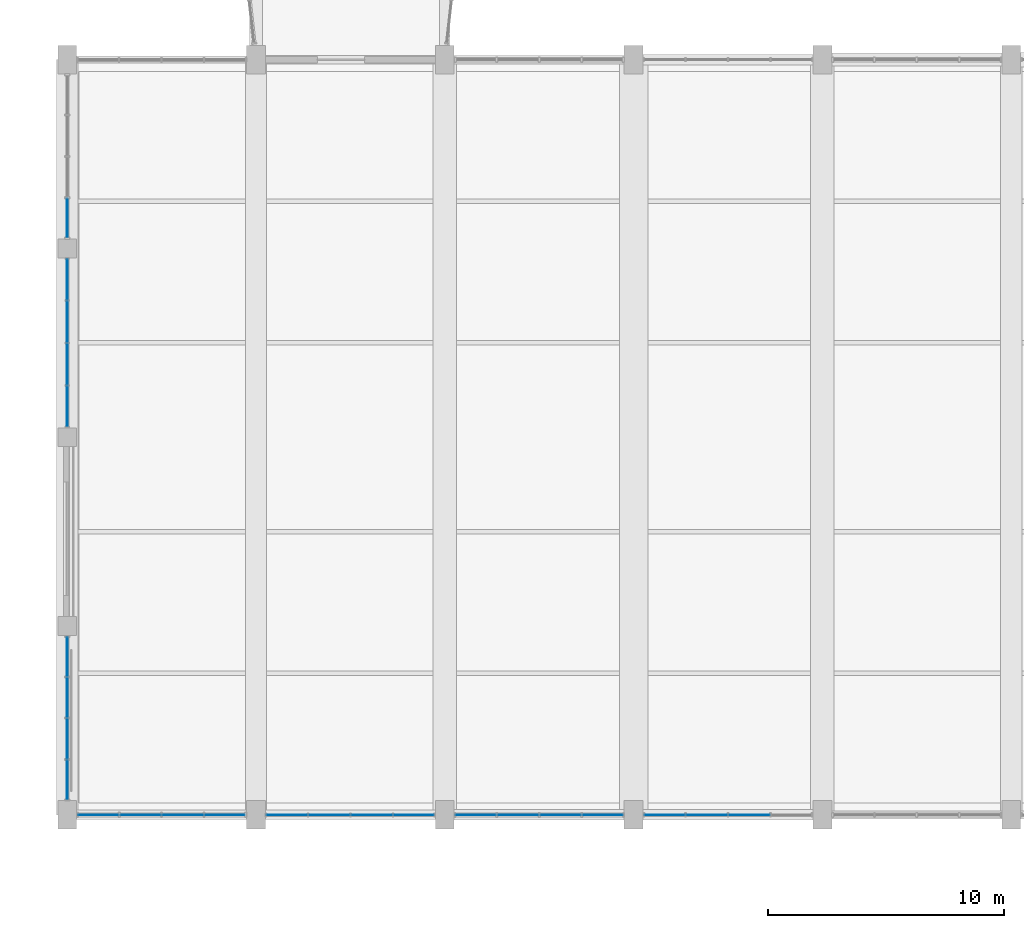
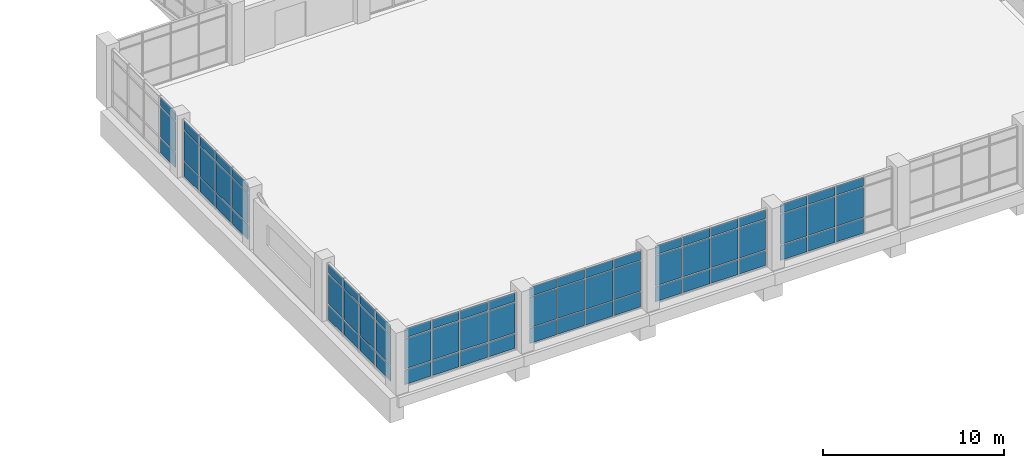
# One storey, part 52 of 84: 72 plates, 7 elements without a shape of their own.
"""IFC4 building model written with IfcOpenShell, lengths in metres."""

from ifc_helpers import new_model, si_unit, direction, frame, origin, origin_2d, place, context, subcontext, project, spatial, rectangle, extrude, material, layer, layer_set, type_object, element, aggregate, save


model = new_model("IFC4")

# Units and contexts
model_context = context("Model", 3, precision=1e-05, world=origin(), true_north=direction((0.0, 1.0)))
body_context = subcontext(model_context, "Body", "Model", "MODEL_VIEW")
ifc_project = project(units=[si_unit("LENGTHUNIT", "METRE"), si_unit("AREAUNIT", "SQUARE_METRE"), si_unit("VOLUMEUNIT", "CUBIC_METRE"), si_unit("PLANEANGLEUNIT", "RADIAN"), si_unit("MASSUNIT", "GRAM", prefix="KILO")], contexts=[model_context])

# Site, building, storey
site_placement = place(None, origin())
site = spatial("IfcSite", under=ifc_project, at=site_placement, CompositionType="ELEMENT")
building_placement = place(site_placement, origin())
building = spatial("IfcBuilding", under=site, at=building_placement, Name="Tenunan Teduh Sports Hall", CompositionType="ELEMENT")
storey_placement = place(building_placement, frame((0.0, 0.0, 10.800048828125)))
storey = spatial("IfcBuildingStorey", under=building, at=storey_placement, Name="L02", CompositionType="ELEMENT", Elevation=10.800048828125)

# Curtain wall, plates
ifc_material_1 = material(Name="Anodised aluminium", Category="aluminium")
curtain_wall_type = type_object("IfcCurtainWallType", Name="CW-UNIT-2", PredefinedType="NOTDEFINED", material=ifc_material_1)
curtain_wall_1_placement = place(storey_placement, origin())
curtain_wall_1 = element("IfcCurtainWall", 1, at=curtain_wall_1_placement, inside=storey, type_object=curtain_wall_type, Name="CW-CWM-200-L02-060", PredefinedType="NOTDEFINED")
ifc_material_2 = material(Name="Low-E laminated double glazing", Category="glass")
ifc_layer_1 = layer(ifc_material_2, 0.028076171875)
ifc_layer_set_1 = layer_set([ifc_layer_1], Name="Low-E laminated double glazing")
plate_type_1 = type_object("IfcPlateType", Name="CWP-GLZ-28", PredefinedType="CURTAIN_PANEL", material=ifc_layer_set_1)
plate_1_placement = place(storey_placement, frame((23.3173828125, 14.0, 1.134765625), z_axis=(0.0, 0.0, 1.0), x_axis=(1.0, 0.0, 0.0)))
plate_1 = element("IfcPlate", 2, at=plate_1_placement, type_object=plate_type_1, Name="CW-02 panel 1.2", PredefinedType="CURTAIN_PANEL", context=body_context, shape_type="SweptSolid", body=[
    extrude(rectangle(XDim=1.695068359375, YDim=0.028076171875, at=origin_2d()), origin(), (0.0, 0.0, 1.0), 2.030029296875),
])
plate_2_placement = place(storey_placement, frame((23.3173828125, 14.0, 3.23486328125), z_axis=(0.0, 0.0, 1.0), x_axis=(1.0, 0.0, 0.0)))
plate_2 = element("IfcPlate", 3, at=plate_2_placement, type_object=plate_type_1, Name="CW-02 panel 1.3", PredefinedType="CURTAIN_PANEL", context=body_context, shape_type="SweptSolid", body=[
    extrude(rectangle(XDim=1.695068359375, YDim=0.028076171875, at=origin_2d()), origin(), (0.0, 0.0, 1.0), 0.594970703125),
])
plate_3_placement = place(storey_placement, frame((25.10009765625, 14.0, 1.134765625), z_axis=(0.0, 0.0, 1.0), x_axis=(1.0, 0.0, 0.0)))
plate_3 = element("IfcPlate", 4, at=plate_3_placement, type_object=plate_type_1, Name="CW-02 panel 2.2", PredefinedType="CURTAIN_PANEL", context=body_context, shape_type="SweptSolid", body=[
    extrude(rectangle(XDim=1.72998046875, YDim=0.028076171875, at=origin_2d()), origin(), (0.0, 0.0, 1.0), 2.030029296875),
])
plate_4_placement = place(storey_placement, frame((25.10009765625, 14.0, 3.23486328125), z_axis=(0.0, 0.0, 1.0), x_axis=(1.0, 0.0, 0.0)))
plate_4 = element("IfcPlate", 5, at=plate_4_placement, type_object=plate_type_1, Name="CW-02 panel 2.3", PredefinedType="CURTAIN_PANEL", context=body_context, shape_type="SweptSolid", body=[
    extrude(rectangle(XDim=1.72998046875, YDim=0.028076171875, at=origin_2d()), origin(), (0.0, 0.0, 1.0), 0.594970703125),
])
plate_5_placement = place(storey_placement, frame((26.89990234375, 14.0, 1.134765625), z_axis=(0.0, 0.0, 1.0), x_axis=(1.0, 0.0, 0.0)))
plate_5 = element("IfcPlate", 6, at=plate_5_placement, type_object=plate_type_1, Name="CW-02 panel 3.2", PredefinedType="CURTAIN_PANEL", context=body_context, shape_type="SweptSolid", body=[
    extrude(rectangle(XDim=1.72998046875, YDim=0.028076171875, at=origin_2d()), origin(), (0.0, 0.0, 1.0), 2.030029296875),
])
plate_6_placement = place(storey_placement, frame((26.89990234375, 14.0, 3.23486328125), z_axis=(0.0, 0.0, 1.0), x_axis=(1.0, 0.0, 0.0)))
plate_6 = element("IfcPlate", 7, at=plate_6_placement, type_object=plate_type_1, Name="CW-02 panel 3.3", PredefinedType="CURTAIN_PANEL", context=body_context, shape_type="SweptSolid", body=[
    extrude(rectangle(XDim=1.72998046875, YDim=0.028076171875, at=origin_2d()), origin(), (0.0, 0.0, 1.0), 0.594970703125),
])
plate_7_placement = place(storey_placement, frame((28.6826171875, 14.0, 1.134765625), z_axis=(0.0, 0.0, 1.0), x_axis=(1.0, 0.0, 0.0)))
plate_7 = element("IfcPlate", 8, at=plate_7_placement, type_object=plate_type_1, Name="CW-02 panel 4.2", PredefinedType="CURTAIN_PANEL", context=body_context, shape_type="SweptSolid", body=[
    extrude(rectangle(XDim=1.695068359375, YDim=0.028076171875, at=origin_2d()), origin(), (0.0, 0.0, 1.0), 2.030029296875),
])
plate_8_placement = place(storey_placement, frame((28.6826171875, 14.0, 3.23486328125), z_axis=(0.0, 0.0, 1.0), x_axis=(1.0, 0.0, 0.0)))
plate_8 = element("IfcPlate", 9, at=plate_8_placement, type_object=plate_type_1, Name="CW-02 panel 4.3", PredefinedType="CURTAIN_PANEL", context=body_context, shape_type="SweptSolid", body=[
    extrude(rectangle(XDim=1.695068359375, YDim=0.028076171875, at=origin_2d()), origin(), (0.0, 0.0, 1.0), 0.594970703125),
])

curtain_wall_2_placement = place(storey_placement, origin())
curtain_wall_2 = element("IfcCurtainWall", 10, at=curtain_wall_2_placement, inside=storey, type_object=curtain_wall_type, Name="CW-CWM-175-L02-062", PredefinedType="NOTDEFINED")
plate_9_placement = place(storey_placement, frame((31.316162109375, 14.0, 1.13232421875), z_axis=(0.0, 0.0, 1.0), x_axis=(1.0, 0.0, 0.0)))
plate_9 = element("IfcPlate", 11, at=plate_9_placement, type_object=plate_type_1, Name="CW-02 panel 1.2", PredefinedType="CURTAIN_PANEL", context=body_context, shape_type="SweptSolid", body=[
    extrude(rectangle(XDim=1.702392578125, YDim=0.028076171875, at=origin_2d()), origin(), (0.0, 0.0, 1.0), 2.034912109375),
])
plate_10_placement = place(storey_placement, frame((31.316162109375, 14.0, 3.232421875), z_axis=(0.0, 0.0, 1.0), x_axis=(1.0, 0.0, 0.0)))
plate_10 = element("IfcPlate", 12, at=plate_10_placement, type_object=plate_type_1, Name="CW-02 panel 1.3", PredefinedType="CURTAIN_PANEL", context=body_context, shape_type="SweptSolid", body=[
    extrude(rectangle(XDim=1.702392578125, YDim=0.028076171875, at=origin_2d()), origin(), (0.0, 0.0, 1.0), 0.6025390625),
])
plate_11_placement = place(storey_placement, frame((33.10009765625, 14.0, 1.13232421875), z_axis=(0.0, 0.0, 1.0), x_axis=(1.0, 0.0, 0.0)))
plate_11 = element("IfcPlate", 13, at=plate_11_placement, type_object=plate_type_1, Name="CW-02 panel 2.2", PredefinedType="CURTAIN_PANEL", context=body_context, shape_type="SweptSolid", body=[
    extrude(rectangle(XDim=1.735107421875, YDim=0.028076171875, at=origin_2d()), origin(), (0.0, 0.0, 1.0), 2.034912109375),
])
plate_12_placement = place(storey_placement, frame((33.10009765625, 14.0, 3.232421875), z_axis=(0.0, 0.0, 1.0), x_axis=(1.0, 0.0, 0.0)))
plate_12 = element("IfcPlate", 14, at=plate_12_placement, type_object=plate_type_1, Name="CW-02 panel 2.3", PredefinedType="CURTAIN_PANEL", context=body_context, shape_type="SweptSolid", body=[
    extrude(rectangle(XDim=1.735107421875, YDim=0.028076171875, at=origin_2d()), origin(), (0.0, 0.0, 1.0), 0.6025390625),
])
plate_13_placement = place(storey_placement, frame((34.89990234375, 14.0, 1.13232421875), z_axis=(0.0, 0.0, 1.0), x_axis=(1.0, 0.0, 0.0)))
plate_13 = element("IfcPlate", 15, at=plate_13_placement, type_object=plate_type_1, Name="CW-02 panel 3.2", PredefinedType="CURTAIN_PANEL", context=body_context, shape_type="SweptSolid", body=[
    extrude(rectangle(XDim=1.735107421875, YDim=0.028076171875, at=origin_2d()), origin(), (0.0, 0.0, 1.0), 2.034912109375),
])
plate_14_placement = place(storey_placement, frame((34.89990234375, 14.0, 3.232421875), z_axis=(0.0, 0.0, 1.0), x_axis=(1.0, 0.0, 0.0)))
plate_14 = element("IfcPlate", 16, at=plate_14_placement, type_object=plate_type_1, Name="CW-02 panel 3.3", PredefinedType="CURTAIN_PANEL", context=body_context, shape_type="SweptSolid", body=[
    extrude(rectangle(XDim=1.735107421875, YDim=0.028076171875, at=origin_2d()), origin(), (0.0, 0.0, 1.0), 0.6025390625),
])

curtain_wall_3_placement = place(storey_placement, origin())
curtain_wall_3 = element("IfcCurtainWall", 17, at=curtain_wall_3_placement, inside=storey, type_object=curtain_wall_type, Name="CW-CWM-200-L02-068", PredefinedType="NOTDEFINED")
plate_15_placement = place(storey_placement, frame((6.0, 15.492431640625, 1.134765625), z_axis=(0.0, 0.0, 1.0), x_axis=(0.0, 1.0, 0.0)))
plate_15 = element("IfcPlate", 18, at=plate_15_placement, type_object=plate_type_1, Name="CW-02 panel 1.2", PredefinedType="CURTAIN_PANEL", context=body_context, shape_type="SweptSolid", body=[
    extrude(rectangle(XDim=1.64501953125, YDim=0.028076171875, at=origin_2d()), origin(), (0.0, 0.0, 1.0), 2.030029296875),
])
plate_16_placement = place(storey_placement, frame((6.0, 15.492431640625, 3.23486328125), z_axis=(0.0, 0.0, 1.0), x_axis=(0.0, 1.0, 0.0)))
plate_16 = element("IfcPlate", 19, at=plate_16_placement, type_object=plate_type_1, Name="CW-02 panel 1.3", PredefinedType="CURTAIN_PANEL", context=body_context, shape_type="SweptSolid", body=[
    extrude(rectangle(XDim=1.64501953125, YDim=0.028076171875, at=origin_2d()), origin(), (0.0, 0.0, 1.0), 0.594970703125),
])
plate_17_placement = place(storey_placement, frame((6.0, 17.22509765625, 1.134765625), z_axis=(0.0, 0.0, 1.0), x_axis=(0.0, 1.0, 0.0)))
plate_17 = element("IfcPlate", 20, at=plate_17_placement, type_object=plate_type_1, Name="CW-02 panel 2.2", PredefinedType="CURTAIN_PANEL", context=body_context, shape_type="SweptSolid", body=[
    extrude(rectangle(XDim=1.679931640625, YDim=0.028076171875, at=origin_2d()), origin(), (0.0, 0.0, 1.0), 2.030029296875),
])
plate_18_placement = place(storey_placement, frame((6.0, 17.22509765625, 3.23486328125), z_axis=(0.0, 0.0, 1.0), x_axis=(0.0, 1.0, 0.0)))
plate_18 = element("IfcPlate", 21, at=plate_18_placement, type_object=plate_type_1, Name="CW-02 panel 2.3", PredefinedType="CURTAIN_PANEL", context=body_context, shape_type="SweptSolid", body=[
    extrude(rectangle(XDim=1.679931640625, YDim=0.028076171875, at=origin_2d()), origin(), (0.0, 0.0, 1.0), 0.594970703125),
])
plate_19_placement = place(storey_placement, frame((6.0, 18.97509765625, 1.134765625), z_axis=(0.0, 0.0, 1.0), x_axis=(0.0, 1.0, 0.0)))
plate_19 = element("IfcPlate", 22, at=plate_19_placement, type_object=plate_type_1, Name="CW-02 panel 3.2", PredefinedType="CURTAIN_PANEL", context=body_context, shape_type="SweptSolid", body=[
    extrude(rectangle(XDim=1.679931640625, YDim=0.028076171875, at=origin_2d()), origin(), (0.0, 0.0, 1.0), 2.030029296875),
])
plate_20_placement = place(storey_placement, frame((6.0, 18.97509765625, 3.23486328125), z_axis=(0.0, 0.0, 1.0), x_axis=(0.0, 1.0, 0.0)))
plate_20 = element("IfcPlate", 23, at=plate_20_placement, type_object=plate_type_1, Name="CW-02 panel 3.3", PredefinedType="CURTAIN_PANEL", context=body_context, shape_type="SweptSolid", body=[
    extrude(rectangle(XDim=1.679931640625, YDim=0.028076171875, at=origin_2d()), origin(), (0.0, 0.0, 1.0), 0.594970703125),
])
plate_21_placement = place(storey_placement, frame((6.0, 20.70751953125, 1.134765625), z_axis=(0.0, 0.0, 1.0), x_axis=(0.0, 1.0, 0.0)))
plate_21 = element("IfcPlate", 24, at=plate_21_placement, type_object=plate_type_1, Name="CW-02 panel 4.2", PredefinedType="CURTAIN_PANEL", context=body_context, shape_type="SweptSolid", body=[
    extrude(rectangle(XDim=1.64501953125, YDim=0.028076171875, at=origin_2d()), origin(), (0.0, 0.0, 1.0), 2.030029296875),
])
plate_22_placement = place(storey_placement, frame((6.0, 20.70751953125, 3.23486328125), z_axis=(0.0, 0.0, 1.0), x_axis=(0.0, 1.0, 0.0)))
plate_22 = element("IfcPlate", 25, at=plate_22_placement, type_object=plate_type_1, Name="CW-02 panel 4.3", PredefinedType="CURTAIN_PANEL", context=body_context, shape_type="SweptSolid", body=[
    extrude(rectangle(XDim=1.64501953125, YDim=0.028076171875, at=origin_2d()), origin(), (0.0, 0.0, 1.0), 0.594970703125),
])

curtain_wall_4_placement = place(storey_placement, origin())
curtain_wall_4 = element("IfcCurtainWall", 26, at=curtain_wall_4_placement, inside=storey, type_object=curtain_wall_type, Name="CW-CWM-175-L02-070", PredefinedType="NOTDEFINED")
plate_23_placement = place(storey_placement, frame((6.0, 31.316162109375, 1.13232421875), z_axis=(0.0, 0.0, 1.0), x_axis=(0.0, 1.0, 0.0)))
plate_23 = element("IfcPlate", 27, at=plate_23_placement, type_object=plate_type_1, Name="CW-02 panel 1.2", PredefinedType="CURTAIN_PANEL", context=body_context, shape_type="SweptSolid", body=[
    extrude(rectangle(XDim=1.702392578125, YDim=0.028076171875, at=origin_2d()), origin(), (0.0, 0.0, 1.0), 2.034912109375),
])
plate_24_placement = place(storey_placement, frame((6.0, 31.316162109375, 3.232421875), z_axis=(0.0, 0.0, 1.0), x_axis=(0.0, 1.0, 0.0)))
plate_24 = element("IfcPlate", 28, at=plate_24_placement, type_object=plate_type_1, Name="CW-02 panel 1.3", PredefinedType="CURTAIN_PANEL", context=body_context, shape_type="SweptSolid", body=[
    extrude(rectangle(XDim=1.702392578125, YDim=0.028076171875, at=origin_2d()), origin(), (0.0, 0.0, 1.0), 0.6025390625),
])
plate_25_placement = place(storey_placement, frame((6.0, 33.10009765625, 1.13232421875), z_axis=(0.0, 0.0, 1.0), x_axis=(0.0, 1.0, 0.0)))
plate_25 = element("IfcPlate", 29, at=plate_25_placement, type_object=plate_type_1, Name="CW-02 panel 2.2", PredefinedType="CURTAIN_PANEL", context=body_context, shape_type="SweptSolid", body=[
    extrude(rectangle(XDim=1.735107421875, YDim=0.028076171875, at=origin_2d()), origin(), (0.0, 0.0, 1.0), 2.034912109375),
])
plate_26_placement = place(storey_placement, frame((6.0, 33.10009765625, 3.232421875), z_axis=(0.0, 0.0, 1.0), x_axis=(0.0, 1.0, 0.0)))
plate_26 = element("IfcPlate", 30, at=plate_26_placement, type_object=plate_type_1, Name="CW-02 panel 2.3", PredefinedType="CURTAIN_PANEL", context=body_context, shape_type="SweptSolid", body=[
    extrude(rectangle(XDim=1.735107421875, YDim=0.028076171875, at=origin_2d()), origin(), (0.0, 0.0, 1.0), 0.6025390625),
])
plate_27_placement = place(storey_placement, frame((6.0, 34.89990234375, 1.13232421875), z_axis=(0.0, 0.0, 1.0), x_axis=(0.0, 1.0, 0.0)))
plate_27 = element("IfcPlate", 31, at=plate_27_placement, type_object=plate_type_1, Name="CW-02 panel 3.2", PredefinedType="CURTAIN_PANEL", context=body_context, shape_type="SweptSolid", body=[
    extrude(rectangle(XDim=1.735107421875, YDim=0.028076171875, at=origin_2d()), origin(), (0.0, 0.0, 1.0), 2.034912109375),
])
plate_28_placement = place(storey_placement, frame((6.0, 34.89990234375, 3.232421875), z_axis=(0.0, 0.0, 1.0), x_axis=(0.0, 1.0, 0.0)))
plate_28 = element("IfcPlate", 32, at=plate_28_placement, type_object=plate_type_1, Name="CW-02 panel 3.3", PredefinedType="CURTAIN_PANEL", context=body_context, shape_type="SweptSolid", body=[
    extrude(rectangle(XDim=1.735107421875, YDim=0.028076171875, at=origin_2d()), origin(), (0.0, 0.0, 1.0), 0.6025390625),
])
plate_29_placement = place(storey_placement, frame((6.0, 36.683837890625, 1.13232421875), z_axis=(0.0, 0.0, 1.0), x_axis=(0.0, 1.0, 0.0)))
plate_29 = element("IfcPlate", 33, at=plate_29_placement, type_object=plate_type_1, Name="CW-02 panel 4.2", PredefinedType="CURTAIN_PANEL", context=body_context, shape_type="SweptSolid", body=[
    extrude(rectangle(XDim=1.702392578125, YDim=0.028076171875, at=origin_2d()), origin(), (0.0, 0.0, 1.0), 2.034912109375),
])
plate_30_placement = place(storey_placement, frame((6.0, 36.683837890625, 3.232421875), z_axis=(0.0, 0.0, 1.0), x_axis=(0.0, 1.0, 0.0)))
plate_30 = element("IfcPlate", 34, at=plate_30_placement, type_object=plate_type_1, Name="CW-02 panel 4.3", PredefinedType="CURTAIN_PANEL", context=body_context, shape_type="SweptSolid", body=[
    extrude(rectangle(XDim=1.702392578125, YDim=0.028076171875, at=origin_2d()), origin(), (0.0, 0.0, 1.0), 0.6025390625),
])

curtain_wall_5_placement = place(storey_placement, origin())
curtain_wall_5 = element("IfcCurtainWall", 35, at=curtain_wall_5_placement, inside=storey, type_object=curtain_wall_type, Name="CW-CWM-200-L02-072", PredefinedType="NOTDEFINED")
plate_31_placement = place(storey_placement, frame((6.0, 39.29248046875, 1.134765625), z_axis=(0.0, 0.0, 1.0), x_axis=(0.0, 1.0, 0.0)))
plate_31 = element("IfcPlate", 36, at=plate_31_placement, type_object=plate_type_1, Name="CW-02 panel 1.2", PredefinedType="CURTAIN_PANEL", context=body_context, shape_type="SweptSolid", body=[
    extrude(rectangle(XDim=1.64501953125, YDim=0.028076171875, at=origin_2d()), origin(), (0.0, 0.0, 1.0), 2.030029296875),
])
plate_32_placement = place(storey_placement, frame((6.0, 39.29248046875, 3.23486328125), z_axis=(0.0, 0.0, 1.0), x_axis=(0.0, 1.0, 0.0)))
plate_32 = element("IfcPlate", 37, at=plate_32_placement, type_object=plate_type_1, Name="CW-02 panel 1.3", PredefinedType="CURTAIN_PANEL", context=body_context, shape_type="SweptSolid", body=[
    extrude(rectangle(XDim=1.64501953125, YDim=0.028076171875, at=origin_2d()), origin(), (0.0, 0.0, 1.0), 0.594970703125),
])

curtain_wall_6_placement = place(storey_placement, origin())
curtain_wall_6 = element("IfcCurtainWall", 38, at=curtain_wall_6_placement, inside=storey, type_object=curtain_wall_type, Name="CW-CWM-220-L02-057", PredefinedType="NOTDEFINED")
ifc_material_3 = material(Name="Solar-control laminated glazing", Category="glass")
ifc_layer_2 = layer(ifc_material_3, 0.031982421875)
ifc_layer_set_2 = layer_set([ifc_layer_2], Name="Solar-control laminated glazing")
plate_type_2 = type_object("IfcPlateType", Name="CWP-GLZ-32", PredefinedType="CURTAIN_PANEL", material=ifc_layer_set_2)
plate_33_placement = place(storey_placement, frame((7.31884765625, 14.0, 1.137451171875), z_axis=(0.0, 0.0, 1.0), x_axis=(1.0, 0.0, 0.0)))
plate_33 = element("IfcPlate", 39, at=plate_33_placement, type_object=plate_type_2, Name="CW-02 panel 1.2", PredefinedType="CURTAIN_PANEL", context=body_context, shape_type="SweptSolid", body=[
    extrude(rectangle(XDim=1.6875, YDim=0.031982421875, at=origin_2d()), origin(), (0.0, 0.0, 1.0), 2.02490234375),
])
plate_34_placement = place(storey_placement, frame((7.31884765625, 14.0, 3.237548828125), z_axis=(0.0, 0.0, 1.0), x_axis=(1.0, 0.0, 0.0)))
plate_34 = element("IfcPlate", 40, at=plate_34_placement, type_object=plate_type_2, Name="CW-02 panel 1.3", PredefinedType="CURTAIN_PANEL", context=body_context, shape_type="SweptSolid", body=[
    extrude(rectangle(XDim=1.6875, YDim=0.031982421875, at=origin_2d()), origin(), (0.0, 0.0, 1.0), 0.58740234375),
])
plate_35_placement = place(storey_placement, frame((9.10009765625, 14.0, 1.137451171875), z_axis=(0.0, 0.0, 1.0), x_axis=(1.0, 0.0, 0.0)))
plate_35 = element("IfcPlate", 41, at=plate_35_placement, type_object=plate_type_2, Name="CW-02 panel 2.2", PredefinedType="CURTAIN_PANEL", context=body_context, shape_type="SweptSolid", body=[
    extrude(rectangle(XDim=1.72509765625, YDim=0.031982421875, at=origin_2d()), origin(), (0.0, 0.0, 1.0), 2.02490234375),
])
plate_36_placement = place(storey_placement, frame((9.10009765625, 14.0, 3.237548828125), z_axis=(0.0, 0.0, 1.0), x_axis=(1.0, 0.0, 0.0)))
plate_36 = element("IfcPlate", 42, at=plate_36_placement, type_object=plate_type_2, Name="CW-02 panel 2.3", PredefinedType="CURTAIN_PANEL", context=body_context, shape_type="SweptSolid", body=[
    extrude(rectangle(XDim=1.72509765625, YDim=0.031982421875, at=origin_2d()), origin(), (0.0, 0.0, 1.0), 0.58740234375),
])
plate_37_placement = place(storey_placement, frame((10.89990234375, 14.0, 1.137451171875), z_axis=(0.0, 0.0, 1.0), x_axis=(1.0, 0.0, 0.0)))
plate_37 = element("IfcPlate", 43, at=plate_37_placement, type_object=plate_type_2, Name="CW-02 panel 3.2", PredefinedType="CURTAIN_PANEL", context=body_context, shape_type="SweptSolid", body=[
    extrude(rectangle(XDim=1.72509765625, YDim=0.031982421875, at=origin_2d()), origin(), (0.0, 0.0, 1.0), 2.02490234375),
])
plate_38_placement = place(storey_placement, frame((10.89990234375, 14.0, 3.237548828125), z_axis=(0.0, 0.0, 1.0), x_axis=(1.0, 0.0, 0.0)))
plate_38 = element("IfcPlate", 44, at=plate_38_placement, type_object=plate_type_2, Name="CW-02 panel 3.3", PredefinedType="CURTAIN_PANEL", context=body_context, shape_type="SweptSolid", body=[
    extrude(rectangle(XDim=1.72509765625, YDim=0.031982421875, at=origin_2d()), origin(), (0.0, 0.0, 1.0), 0.58740234375),
])
plate_39_placement = place(storey_placement, frame((12.68115234375, 14.0, 1.137451171875), z_axis=(0.0, 0.0, 1.0), x_axis=(1.0, 0.0, 0.0)))
plate_39 = element("IfcPlate", 45, at=plate_39_placement, type_object=plate_type_2, Name="CW-02 panel 4.2", PredefinedType="CURTAIN_PANEL", context=body_context, shape_type="SweptSolid", body=[
    extrude(rectangle(XDim=1.6875, YDim=0.031982421875, at=origin_2d()), origin(), (0.0, 0.0, 1.0), 2.02490234375),
])
plate_40_placement = place(storey_placement, frame((12.68115234375, 14.0, 3.237548828125), z_axis=(0.0, 0.0, 1.0), x_axis=(1.0, 0.0, 0.0)))
plate_40 = element("IfcPlate", 46, at=plate_40_placement, type_object=plate_type_2, Name="CW-02 panel 4.3", PredefinedType="CURTAIN_PANEL", context=body_context, shape_type="SweptSolid", body=[
    extrude(rectangle(XDim=1.6875, YDim=0.031982421875, at=origin_2d()), origin(), (0.0, 0.0, 1.0), 0.58740234375),
])

curtain_wall_7_placement = place(storey_placement, origin())
curtain_wall_7 = element("IfcCurtainWall", 47, at=curtain_wall_7_placement, inside=storey, type_object=curtain_wall_type, Name="CW-CWM-150-L02-059", PredefinedType="NOTDEFINED")
plate_41_placement = place(storey_placement, frame((15.31494140625, 14.0, 1.1298828125), z_axis=(0.0, 0.0, 1.0), x_axis=(1.0, 0.0, 0.0)))
plate_41 = element("IfcPlate", 48, at=plate_41_placement, type_object=plate_type_2, Name="CW-02 panel 1.2", PredefinedType="CURTAIN_PANEL", context=body_context, shape_type="SweptSolid", body=[
    extrude(rectangle(XDim=1.7099609375, YDim=0.031982421875, at=origin_2d()), origin(), (0.0, 0.0, 1.0), 2.0400390625),
])
plate_42_placement = place(storey_placement, frame((15.31494140625, 14.0, 3.22998046875), z_axis=(0.0, 0.0, 1.0), x_axis=(1.0, 0.0, 0.0)))
plate_42 = element("IfcPlate", 49, at=plate_42_placement, type_object=plate_type_2, Name="CW-02 panel 1.3", PredefinedType="CURTAIN_PANEL", context=body_context, shape_type="SweptSolid", body=[
    extrude(rectangle(XDim=1.7099609375, YDim=0.031982421875, at=origin_2d()), origin(), (0.0, 0.0, 1.0), 0.610107421875),
])
plate_43_placement = place(storey_placement, frame((17.10009765625, 14.0, 1.1298828125), z_axis=(0.0, 0.0, 1.0), x_axis=(1.0, 0.0, 0.0)))
plate_43 = element("IfcPlate", 50, at=plate_43_placement, type_object=plate_type_2, Name="CW-02 panel 2.2", PredefinedType="CURTAIN_PANEL", context=body_context, shape_type="SweptSolid", body=[
    extrude(rectangle(XDim=1.739990234375, YDim=0.031982421875, at=origin_2d()), origin(), (0.0, 0.0, 1.0), 2.0400390625),
])
plate_44_placement = place(storey_placement, frame((17.10009765625, 14.0, 3.22998046875), z_axis=(0.0, 0.0, 1.0), x_axis=(1.0, 0.0, 0.0)))
plate_44 = element("IfcPlate", 51, at=plate_44_placement, type_object=plate_type_2, Name="CW-02 panel 2.3", PredefinedType="CURTAIN_PANEL", context=body_context, shape_type="SweptSolid", body=[
    extrude(rectangle(XDim=1.739990234375, YDim=0.031982421875, at=origin_2d()), origin(), (0.0, 0.0, 1.0), 0.610107421875),
])
plate_45_placement = place(storey_placement, frame((18.89990234375, 14.0, 1.1298828125), z_axis=(0.0, 0.0, 1.0), x_axis=(1.0, 0.0, 0.0)))
plate_45 = element("IfcPlate", 52, at=plate_45_placement, type_object=plate_type_2, Name="CW-02 panel 3.2", PredefinedType="CURTAIN_PANEL", context=body_context, shape_type="SweptSolid", body=[
    extrude(rectangle(XDim=1.739990234375, YDim=0.031982421875, at=origin_2d()), origin(), (0.0, 0.0, 1.0), 2.0400390625),
])
plate_46_placement = place(storey_placement, frame((18.89990234375, 14.0, 3.22998046875), z_axis=(0.0, 0.0, 1.0), x_axis=(1.0, 0.0, 0.0)))
plate_46 = element("IfcPlate", 53, at=plate_46_placement, type_object=plate_type_2, Name="CW-02 panel 3.3", PredefinedType="CURTAIN_PANEL", context=body_context, shape_type="SweptSolid", body=[
    extrude(rectangle(XDim=1.739990234375, YDim=0.031982421875, at=origin_2d()), origin(), (0.0, 0.0, 1.0), 0.610107421875),
])
plate_47_placement = place(storey_placement, frame((20.68505859375, 14.0, 1.1298828125), z_axis=(0.0, 0.0, 1.0), x_axis=(1.0, 0.0, 0.0)))
plate_47 = element("IfcPlate", 54, at=plate_47_placement, type_object=plate_type_2, Name="CW-02 panel 4.2", PredefinedType="CURTAIN_PANEL", context=body_context, shape_type="SweptSolid", body=[
    extrude(rectangle(XDim=1.7099609375, YDim=0.031982421875, at=origin_2d()), origin(), (0.0, 0.0, 1.0), 2.0400390625),
])
plate_48_placement = place(storey_placement, frame((20.68505859375, 14.0, 3.22998046875), z_axis=(0.0, 0.0, 1.0), x_axis=(1.0, 0.0, 0.0)))
plate_48 = element("IfcPlate", 55, at=plate_48_placement, type_object=plate_type_2, Name="CW-02 panel 4.3", PredefinedType="CURTAIN_PANEL", context=body_context, shape_type="SweptSolid", body=[
    extrude(rectangle(XDim=1.7099609375, YDim=0.031982421875, at=origin_2d()), origin(), (0.0, 0.0, 1.0), 0.610107421875),
])

# Plate
ifc_material_4 = material(Name="Insulated aluminium spandrel panel", Category="aluminium")
ifc_layer_3 = layer(ifc_material_4, 0.044921875)
ifc_layer_set_3 = layer_set([ifc_layer_3], Name="Insulated aluminium spandrel panel")
plate_type_3 = type_object("IfcPlateType", Name="CWP-SPN-45", PredefinedType="CURTAIN_PANEL", material=ifc_layer_set_3)
plate_49_placement = place(storey_placement, frame((7.31884765625, 14.0, 0.07470703125), z_axis=(0.0, 0.0, 1.0), x_axis=(1.0, 0.0, 0.0)))
plate_49 = element("IfcPlate", 56, at=plate_49_placement, type_object=plate_type_3, Name="CW-02 panel 1.1", PredefinedType="CURTAIN_PANEL", context=body_context, shape_type="SweptSolid", body=[
    extrude(rectangle(XDim=1.6875, YDim=0.031982421875, at=origin_2d()), origin(), (0.0, 0.0, 1.0), 0.987548828125),
])

plate_50_placement = place(storey_placement, frame((9.10009765625, 14.0, 0.07470703125), z_axis=(0.0, 0.0, 1.0), x_axis=(1.0, 0.0, 0.0)))
plate_50 = element("IfcPlate", 57, at=plate_50_placement, type_object=plate_type_3, Name="CW-02 panel 2.1", PredefinedType="CURTAIN_PANEL", context=body_context, shape_type="SweptSolid", body=[
    extrude(rectangle(XDim=1.72509765625, YDim=0.031982421875, at=origin_2d()), origin(), (0.0, 0.0, 1.0), 0.987548828125),
])

plate_51_placement = place(storey_placement, frame((10.89990234375, 14.0, 0.07470703125), z_axis=(0.0, 0.0, 1.0), x_axis=(1.0, 0.0, 0.0)))
plate_51 = element("IfcPlate", 58, at=plate_51_placement, type_object=plate_type_3, Name="CW-02 panel 3.1", PredefinedType="CURTAIN_PANEL", context=body_context, shape_type="SweptSolid", body=[
    extrude(rectangle(XDim=1.72509765625, YDim=0.031982421875, at=origin_2d()), origin(), (0.0, 0.0, 1.0), 0.987548828125),
])

plate_52_placement = place(storey_placement, frame((12.68115234375, 14.0, 0.07470703125), z_axis=(0.0, 0.0, 1.0), x_axis=(1.0, 0.0, 0.0)))
plate_52 = element("IfcPlate", 59, at=plate_52_placement, type_object=plate_type_3, Name="CW-02 panel 4.1", PredefinedType="CURTAIN_PANEL", context=body_context, shape_type="SweptSolid", body=[
    extrude(rectangle(XDim=1.6875, YDim=0.031982421875, at=origin_2d()), origin(), (0.0, 0.0, 1.0), 0.987548828125),
])

aggregate(curtain_wall_6, [plate_49, plate_33, plate_34, plate_50, plate_35, plate_36, plate_51, plate_37, plate_38, plate_52, plate_39, plate_40])

plate_53_placement = place(storey_placement, frame((15.31494140625, 14.0, 0.06005859375), z_axis=(0.0, 0.0, 1.0), x_axis=(1.0, 0.0, 0.0)))
plate_53 = element("IfcPlate", 60, at=plate_53_placement, type_object=plate_type_3, Name="CW-02 panel 1.1", PredefinedType="CURTAIN_PANEL", context=body_context, shape_type="SweptSolid", body=[
    extrude(rectangle(XDim=1.7099609375, YDim=0.031982421875, at=origin_2d()), origin(), (0.0, 0.0, 1.0), 1.010009765625),
])

plate_54_placement = place(storey_placement, frame((17.10009765625, 14.0, 0.06005859375), z_axis=(0.0, 0.0, 1.0), x_axis=(1.0, 0.0, 0.0)))
plate_54 = element("IfcPlate", 61, at=plate_54_placement, type_object=plate_type_3, Name="CW-02 panel 2.1", PredefinedType="CURTAIN_PANEL", context=body_context, shape_type="SweptSolid", body=[
    extrude(rectangle(XDim=1.739990234375, YDim=0.031982421875, at=origin_2d()), origin(), (0.0, 0.0, 1.0), 1.010009765625),
])

plate_55_placement = place(storey_placement, frame((18.89990234375, 14.0, 0.06005859375), z_axis=(0.0, 0.0, 1.0), x_axis=(1.0, 0.0, 0.0)))
plate_55 = element("IfcPlate", 62, at=plate_55_placement, type_object=plate_type_3, Name="CW-02 panel 3.1", PredefinedType="CURTAIN_PANEL", context=body_context, shape_type="SweptSolid", body=[
    extrude(rectangle(XDim=1.739990234375, YDim=0.031982421875, at=origin_2d()), origin(), (0.0, 0.0, 1.0), 1.010009765625),
])

plate_56_placement = place(storey_placement, frame((20.68505859375, 14.0, 0.06005859375), z_axis=(0.0, 0.0, 1.0), x_axis=(1.0, 0.0, 0.0)))
plate_56 = element("IfcPlate", 63, at=plate_56_placement, type_object=plate_type_3, Name="CW-02 panel 4.1", PredefinedType="CURTAIN_PANEL", context=body_context, shape_type="SweptSolid", body=[
    extrude(rectangle(XDim=1.7099609375, YDim=0.031982421875, at=origin_2d()), origin(), (0.0, 0.0, 1.0), 1.010009765625),
])

aggregate(curtain_wall_7, [plate_53, plate_41, plate_42, plate_54, plate_43, plate_44, plate_55, plate_45, plate_46, plate_56, plate_47, plate_48])

plate_57_placement = place(storey_placement, frame((23.3173828125, 14.0, 0.06982421875), z_axis=(0.0, 0.0, 1.0), x_axis=(1.0, 0.0, 0.0)))
plate_57 = element("IfcPlate", 64, at=plate_57_placement, type_object=plate_type_3, Name="CW-02 panel 1.1", PredefinedType="CURTAIN_PANEL", context=body_context, shape_type="SweptSolid", body=[
    extrude(rectangle(XDim=1.695068359375, YDim=0.028076171875, at=origin_2d()), origin(), (0.0, 0.0, 1.0), 0.9951171875),
])

plate_58_placement = place(storey_placement, frame((25.10009765625, 14.0, 0.06982421875), z_axis=(0.0, 0.0, 1.0), x_axis=(1.0, 0.0, 0.0)))
plate_58 = element("IfcPlate", 65, at=plate_58_placement, type_object=plate_type_3, Name="CW-02 panel 2.1", PredefinedType="CURTAIN_PANEL", context=body_context, shape_type="SweptSolid", body=[
    extrude(rectangle(XDim=1.72998046875, YDim=0.028076171875, at=origin_2d()), origin(), (0.0, 0.0, 1.0), 0.9951171875),
])

plate_59_placement = place(storey_placement, frame((26.89990234375, 14.0, 0.06982421875), z_axis=(0.0, 0.0, 1.0), x_axis=(1.0, 0.0, 0.0)))
plate_59 = element("IfcPlate", 66, at=plate_59_placement, type_object=plate_type_3, Name="CW-02 panel 3.1", PredefinedType="CURTAIN_PANEL", context=body_context, shape_type="SweptSolid", body=[
    extrude(rectangle(XDim=1.72998046875, YDim=0.028076171875, at=origin_2d()), origin(), (0.0, 0.0, 1.0), 0.9951171875),
])

plate_60_placement = place(storey_placement, frame((28.6826171875, 14.0, 0.06982421875), z_axis=(0.0, 0.0, 1.0), x_axis=(1.0, 0.0, 0.0)))
plate_60 = element("IfcPlate", 67, at=plate_60_placement, type_object=plate_type_3, Name="CW-02 panel 4.1", PredefinedType="CURTAIN_PANEL", context=body_context, shape_type="SweptSolid", body=[
    extrude(rectangle(XDim=1.695068359375, YDim=0.028076171875, at=origin_2d()), origin(), (0.0, 0.0, 1.0), 0.9951171875),
])

aggregate(curtain_wall_1, [plate_57, plate_1, plate_2, plate_58, plate_3, plate_4, plate_59, plate_5, plate_6, plate_60, plate_7, plate_8])

plate_61_placement = place(storey_placement, frame((31.316162109375, 14.0, 0.06494140625), z_axis=(0.0, 0.0, 1.0), x_axis=(1.0, 0.0, 0.0)))
plate_61 = element("IfcPlate", 68, at=plate_61_placement, type_object=plate_type_3, Name="CW-02 panel 1.1", PredefinedType="CURTAIN_PANEL", context=body_context, shape_type="SweptSolid", body=[
    extrude(rectangle(XDim=1.702392578125, YDim=0.028076171875, at=origin_2d()), origin(), (0.0, 0.0, 1.0), 1.00244140625),
])

plate_62_placement = place(storey_placement, frame((33.10009765625, 14.0, 0.06494140625), z_axis=(0.0, 0.0, 1.0), x_axis=(1.0, 0.0, 0.0)))
plate_62 = element("IfcPlate", 69, at=plate_62_placement, type_object=plate_type_3, Name="CW-02 panel 2.1", PredefinedType="CURTAIN_PANEL", context=body_context, shape_type="SweptSolid", body=[
    extrude(rectangle(XDim=1.735107421875, YDim=0.028076171875, at=origin_2d()), origin(), (0.0, 0.0, 1.0), 1.00244140625),
])

plate_63_placement = place(storey_placement, frame((34.89990234375, 14.0, 0.06494140625), z_axis=(0.0, 0.0, 1.0), x_axis=(1.0, 0.0, 0.0)))
plate_63 = element("IfcPlate", 70, at=plate_63_placement, type_object=plate_type_3, Name="CW-02 panel 3.1", PredefinedType="CURTAIN_PANEL", context=body_context, shape_type="SweptSolid", body=[
    extrude(rectangle(XDim=1.735107421875, YDim=0.028076171875, at=origin_2d()), origin(), (0.0, 0.0, 1.0), 1.00244140625),
])

aggregate(curtain_wall_2, [plate_61, plate_9, plate_10, plate_62, plate_11, plate_12, plate_63, plate_13, plate_14])

plate_64_placement = place(storey_placement, frame((6.0, 15.492431640625, 0.06982421875), z_axis=(0.0, 0.0, 1.0), x_axis=(0.0, 1.0, 0.0)))
plate_64 = element("IfcPlate", 71, at=plate_64_placement, type_object=plate_type_3, Name="CW-02 panel 1.1", PredefinedType="CURTAIN_PANEL", context=body_context, shape_type="SweptSolid", body=[
    extrude(rectangle(XDim=1.64501953125, YDim=0.028076171875, at=origin_2d()), origin(), (0.0, 0.0, 1.0), 0.9951171875),
])

plate_65_placement = place(storey_placement, frame((6.0, 17.22509765625, 0.06982421875), z_axis=(0.0, 0.0, 1.0), x_axis=(0.0, 1.0, 0.0)))
plate_65 = element("IfcPlate", 72, at=plate_65_placement, type_object=plate_type_3, Name="CW-02 panel 2.1", PredefinedType="CURTAIN_PANEL", context=body_context, shape_type="SweptSolid", body=[
    extrude(rectangle(XDim=1.679931640625, YDim=0.028076171875, at=origin_2d()), origin(), (0.0, 0.0, 1.0), 0.9951171875),
])

plate_66_placement = place(storey_placement, frame((6.0, 18.97509765625, 0.06982421875), z_axis=(0.0, 0.0, 1.0), x_axis=(0.0, 1.0, 0.0)))
plate_66 = element("IfcPlate", 73, at=plate_66_placement, type_object=plate_type_3, Name="CW-02 panel 3.1", PredefinedType="CURTAIN_PANEL", context=body_context, shape_type="SweptSolid", body=[
    extrude(rectangle(XDim=1.679931640625, YDim=0.028076171875, at=origin_2d()), origin(), (0.0, 0.0, 1.0), 0.9951171875),
])

plate_67_placement = place(storey_placement, frame((6.0, 20.70751953125, 0.06982421875), z_axis=(0.0, 0.0, 1.0), x_axis=(0.0, 1.0, 0.0)))
plate_67 = element("IfcPlate", 74, at=plate_67_placement, type_object=plate_type_3, Name="CW-02 panel 4.1", PredefinedType="CURTAIN_PANEL", context=body_context, shape_type="SweptSolid", body=[
    extrude(rectangle(XDim=1.64501953125, YDim=0.028076171875, at=origin_2d()), origin(), (0.0, 0.0, 1.0), 0.9951171875),
])

aggregate(curtain_wall_3, [plate_64, plate_15, plate_16, plate_65, plate_17, plate_18, plate_66, plate_19, plate_20, plate_67, plate_21, plate_22])

plate_68_placement = place(storey_placement, frame((6.0, 31.316162109375, 0.06494140625), z_axis=(0.0, 0.0, 1.0), x_axis=(0.0, 1.0, 0.0)))
plate_68 = element("IfcPlate", 75, at=plate_68_placement, type_object=plate_type_3, Name="CW-02 panel 1.1", PredefinedType="CURTAIN_PANEL", context=body_context, shape_type="SweptSolid", body=[
    extrude(rectangle(XDim=1.702392578125, YDim=0.028076171875, at=origin_2d()), origin(), (0.0, 0.0, 1.0), 1.00244140625),
])

plate_69_placement = place(storey_placement, frame((6.0, 33.10009765625, 0.06494140625), z_axis=(0.0, 0.0, 1.0), x_axis=(0.0, 1.0, 0.0)))
plate_69 = element("IfcPlate", 76, at=plate_69_placement, type_object=plate_type_3, Name="CW-02 panel 2.1", PredefinedType="CURTAIN_PANEL", context=body_context, shape_type="SweptSolid", body=[
    extrude(rectangle(XDim=1.735107421875, YDim=0.028076171875, at=origin_2d()), origin(), (0.0, 0.0, 1.0), 1.00244140625),
])

plate_70_placement = place(storey_placement, frame((6.0, 34.89990234375, 0.06494140625), z_axis=(0.0, 0.0, 1.0), x_axis=(0.0, 1.0, 0.0)))
plate_70 = element("IfcPlate", 77, at=plate_70_placement, type_object=plate_type_3, Name="CW-02 panel 3.1", PredefinedType="CURTAIN_PANEL", context=body_context, shape_type="SweptSolid", body=[
    extrude(rectangle(XDim=1.735107421875, YDim=0.028076171875, at=origin_2d()), origin(), (0.0, 0.0, 1.0), 1.00244140625),
])

plate_71_placement = place(storey_placement, frame((6.0, 36.683837890625, 0.06494140625), z_axis=(0.0, 0.0, 1.0), x_axis=(0.0, 1.0, 0.0)))
plate_71 = element("IfcPlate", 78, at=plate_71_placement, type_object=plate_type_3, Name="CW-02 panel 4.1", PredefinedType="CURTAIN_PANEL", context=body_context, shape_type="SweptSolid", body=[
    extrude(rectangle(XDim=1.702392578125, YDim=0.028076171875, at=origin_2d()), origin(), (0.0, 0.0, 1.0), 1.00244140625),
])

aggregate(curtain_wall_4, [plate_68, plate_23, plate_24, plate_69, plate_25, plate_26, plate_70, plate_27, plate_28, plate_71, plate_29, plate_30])

plate_72_placement = place(storey_placement, frame((6.0, 39.29248046875, 0.06982421875), z_axis=(0.0, 0.0, 1.0), x_axis=(0.0, 1.0, 0.0)))
plate_72 = element("IfcPlate", 79, at=plate_72_placement, type_object=plate_type_3, Name="CW-02 panel 1.1", PredefinedType="CURTAIN_PANEL", context=body_context, shape_type="SweptSolid", body=[
    extrude(rectangle(XDim=1.64501953125, YDim=0.028076171875, at=origin_2d()), origin(), (0.0, 0.0, 1.0), 0.9951171875),
])

aggregate(curtain_wall_5, [plate_72, plate_31, plate_32])

save(model, "model.ifc")
